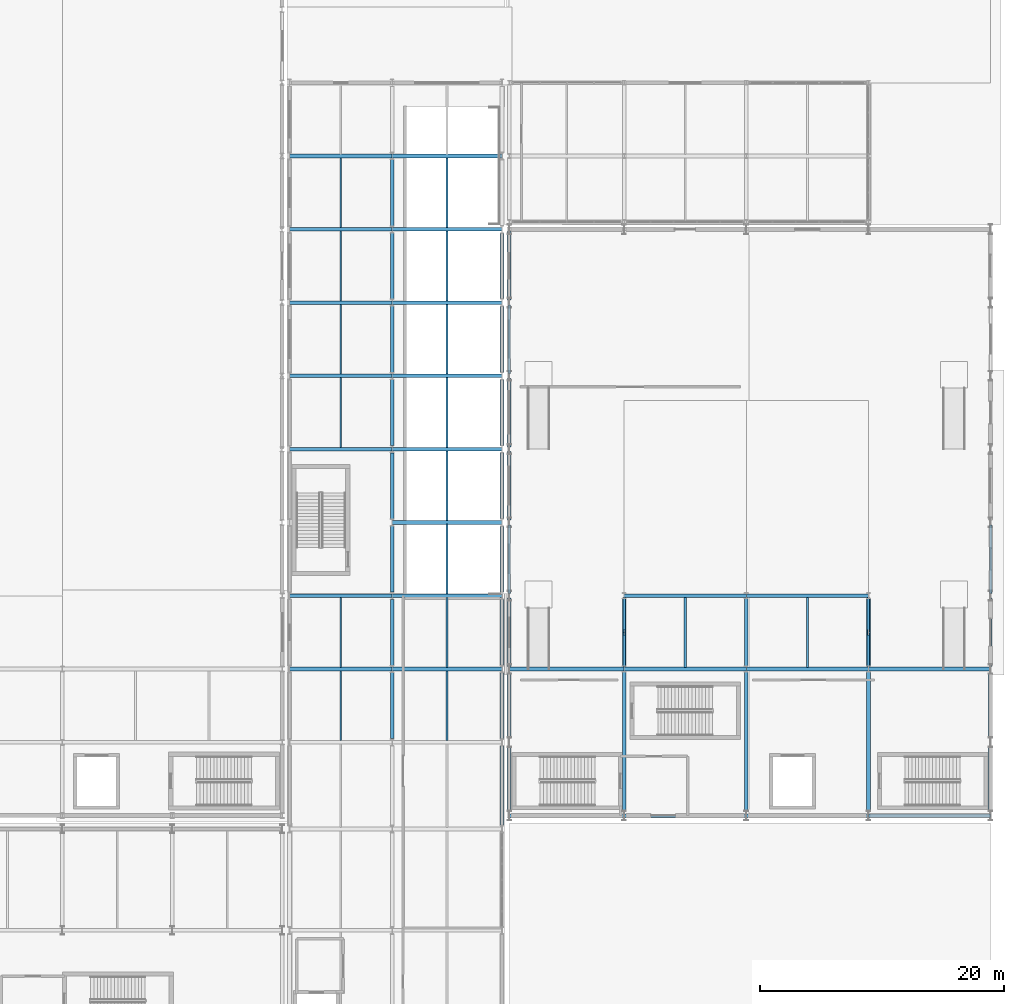
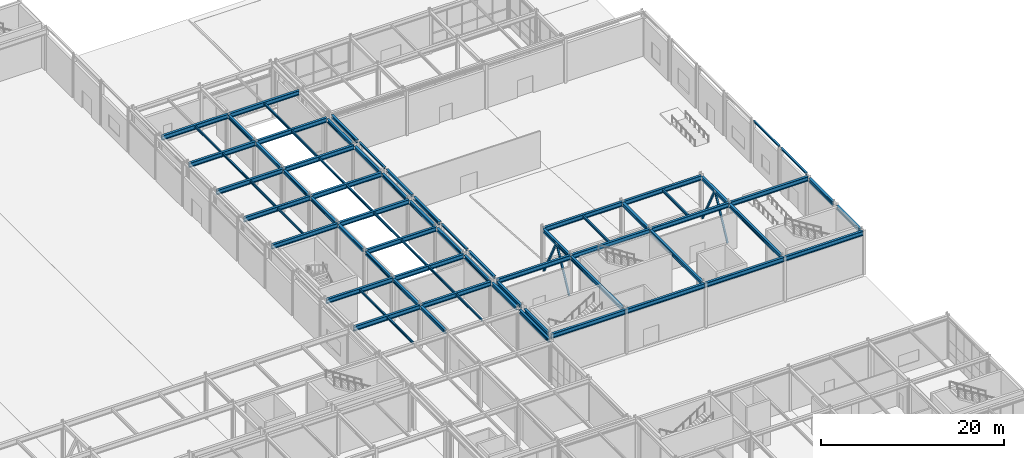
# One storey, part 90 of 146: 75 beams, 4 members.
"""IFC4 building model written with IfcOpenShell, lengths in metres."""

from ifc_helpers import new_model, si_unit, direction, frame, origin, origin_2d, place, context, subcontext, project, spatial, hollow_rectangle, i_section, extrude, material, material_profile, profile_set, type_object, element, save


model = new_model("IFC4")

# Units and contexts
model_context = context("Model", 3, precision=1e-05, world=origin(), true_north=direction((0.0, 1.0)))
body_context = subcontext(model_context, "Body", "Model", "MODEL_VIEW")
ifc_project = project(units=[si_unit("LENGTHUNIT", "METRE"), si_unit("AREAUNIT", "SQUARE_METRE"), si_unit("VOLUMEUNIT", "CUBIC_METRE"), si_unit("PLANEANGLEUNIT", "RADIAN"), si_unit("MASSUNIT", "GRAM", prefix="KILO")], contexts=[model_context])

# Site, building, storey
site_placement = place(None, origin())
site = spatial("IfcSite", under=ifc_project, at=site_placement, CompositionType="ELEMENT")
building_placement = place(site_placement, origin())
building = spatial("IfcBuilding", under=site, at=building_placement, Name="Kaldris Quays Convention Centre", CompositionType="ELEMENT")
storey_placement = place(building_placement, origin())
storey = spatial("IfcBuildingStorey", under=building, at=storey_placement, Name="L00", CompositionType="ELEMENT", Elevation=0.0)

# Beams
ifc_material_1 = material(Name="Steel S355J2", Category="steel")
ifc_material_profile_1 = material_profile(ifc_material_1, i_section(OverallWidth=0.300048828125, OverallDepth=0.60009765625, WebThickness=0.015380859375, FlangeThickness=0.030029296875, FilletRadius=0.027099609375, at=origin_2d()), Name="HEB 600")
ifc_profile_set_1 = profile_set([ifc_material_profile_1], Name="Steel S355J2")
beam_type_1 = type_object("IfcBeamType", Name="STRUCTURAL BEAM BM05", PredefinedType="BEAM", material=ifc_profile_set_1)
beam_1_placement = place(storey_placement, frame((164.602783203125, 56.0, 5.403076171875), z_axis=(1.0, 0.0, 0.0), x_axis=(0.0, 1.0, 0.0)))
element("IfcBeam", 1, at=beam_1_placement, inside=storey, type_object=beam_type_1, Name="L00 Girder BM05 1", PredefinedType="BEAM", context=body_context, shape_type="SweptSolid", body=[
    extrude(i_section(OverallWidth=0.300048828125, OverallDepth=0.60009765625, WebThickness=0.015380859375, FlangeThickness=0.030029296875, FilletRadius=0.027099609375, at=origin_2d()), origin(), (0.0, 0.0, 1.0), 9.39453125),
])
for number, where, z_axis, x_axis, name in (
    (2, (174.002685546875, 56.0, 5.403076171875), (1.0, 0.0, 0.0), (0.0, 1.0, 0.0), "L00 Girder BM05 2"),
    (3, (184.002685546875, 56.0, 5.403076171875), (1.0, 0.0, 0.0), (0.0, 1.0, 0.0), "L00 Girder BM05 3"),
    (4, (194.002685546875, 56.0, 5.403076171875), (1.0, 0.0, 0.0), (0.0, 1.0, 0.0), "L00 Girder BM05 4"),
):
    element("IfcBeam", number, at=place(storey_placement, frame(where, z_axis=z_axis, x_axis=x_axis)), inside=storey, type_object=beam_type_1, Name=name, PredefinedType="BEAM", context=body_context, shape_type="SweptSolid", body=[
        extrude(i_section(OverallWidth=0.300048828125, OverallDepth=0.60009765625, WebThickness=0.015380859375, FlangeThickness=0.030029296875, FilletRadius=0.027099609375, at=origin_2d()), origin(), (0.0, 0.0, 1.0), 9.99462890625),
    ])
beam_2_placement = place(storey_placement, frame((164.602783203125, 68.0, 5.403076171875), z_axis=(1.0, 0.0, 0.0), x_axis=(0.0, 1.0, 0.0)))
element("IfcBeam", 5, at=beam_2_placement, inside=storey, type_object=beam_type_1, Name="L00 Girder BM05 5", PredefinedType="BEAM", context=body_context, shape_type="SweptSolid", body=[
    extrude(i_section(OverallWidth=0.300048828125, OverallDepth=0.60009765625, WebThickness=0.015380859375, FlangeThickness=0.030029296875, FilletRadius=0.027099609375, at=origin_2d()), origin(), (0.0, 0.0, 1.0), 9.39599609375),
])
for number, where, z_axis, x_axis, name in (
    (6, (174.001220703125, 68.0, 5.403076171875), (1.0, 0.0, 0.0), (0.0, 1.0, 0.0), "L00 Girder BM05 6"),
    (7, (184.001220703125, 68.0, 5.403076171875), (1.0, 0.0, 0.0), (0.0, 1.0, 0.0), "L00 Girder BM05 7"),
):
    element("IfcBeam", number, at=place(storey_placement, frame(where, z_axis=z_axis, x_axis=x_axis)), inside=storey, type_object=beam_type_1, Name=name, PredefinedType="BEAM", context=body_context, shape_type="SweptSolid", body=[
        extrude(i_section(OverallWidth=0.300048828125, OverallDepth=0.60009765625, WebThickness=0.015380859375, FlangeThickness=0.030029296875, FilletRadius=0.027099609375, at=origin_2d()), origin(), (0.0, 0.0, 1.0), 9.99755859375),
    ])
beam_3_placement = place(storey_placement, frame((194.001220703125, 68.0, 5.403076171875), z_axis=(1.0, 0.0, 0.0), x_axis=(0.0, 1.0, 0.0)))
element("IfcBeam", 8, at=beam_3_placement, inside=storey, type_object=beam_type_1, Name="L00 Girder BM05 8", PredefinedType="BEAM", context=body_context, shape_type="SweptSolid", body=[
    extrude(i_section(OverallWidth=0.300048828125, OverallDepth=0.60009765625, WebThickness=0.015380859375, FlangeThickness=0.030029296875, FilletRadius=0.027099609375, at=origin_2d()), origin(), (0.0, 0.0, 1.0), 9.99609375),
])
for number, where, z_axis, x_axis, name in (
    (9, (174.001220703125, 74.0, 5.405029296875), (1.0, 0.0, 0.0), (0.0, 1.0, 0.0), "L00 Girder BM05 9"),
    (10, (184.001220703125, 74.0, 5.405029296875), (1.0, 0.0, 0.0), (0.0, 1.0, 0.0), "L00 Girder BM05 10"),
):
    element("IfcBeam", number, at=place(storey_placement, frame(where, z_axis=z_axis, x_axis=x_axis)), inside=storey, type_object=beam_type_1, Name=name, PredefinedType="BEAM", context=body_context, shape_type="SweptSolid", body=[
        extrude(i_section(OverallWidth=0.300048828125, OverallDepth=0.60009765625, WebThickness=0.015380859375, FlangeThickness=0.030029296875, FilletRadius=0.027099609375, at=origin_2d()), origin(), (0.0, 0.0, 1.0), 9.99755859375),
    ])
beam_4_placement = place(storey_placement, frame((146.601806640625, 68.0, 5.423095703125), z_axis=(1.0, 0.0, 0.0), x_axis=(0.0, 1.0, 0.0)))
element("IfcBeam", 11, at=beam_4_placement, inside=storey, type_object=beam_type_1, Name="L00 Girder BM05 30", PredefinedType="BEAM", context=body_context, shape_type="SweptSolid", body=[
    extrude(i_section(OverallWidth=0.300048828125, OverallDepth=0.60009765625, WebThickness=0.015380859375, FlangeThickness=0.030029296875, FilletRadius=0.027099609375, at=origin_2d()), origin(), (0.0, 0.0, 1.0), 8.396484375),
])
beam_5_placement = place(storey_placement, frame((155.001708984375, 68.0, 5.423095703125), z_axis=(1.0, 0.0, 0.0), x_axis=(0.0, 1.0, 0.0)))
element("IfcBeam", 12, at=beam_5_placement, inside=storey, type_object=beam_type_1, Name="L00 Girder BM05 31", PredefinedType="BEAM", context=body_context, shape_type="SweptSolid", body=[
    extrude(i_section(OverallWidth=0.300048828125, OverallDepth=0.60009765625, WebThickness=0.015380859375, FlangeThickness=0.030029296875, FilletRadius=0.027099609375, at=origin_2d()), origin(), (0.0, 0.0, 1.0), 8.99658203125),
])
beam_6_placement = place(storey_placement, frame((146.601806640625, 74.0, 5.423095703125), z_axis=(1.0, 0.0, 0.0), x_axis=(0.0, 1.0, 0.0)))
element("IfcBeam", 13, at=beam_6_placement, inside=storey, type_object=beam_type_1, Name="L00 Girder BM05 32", PredefinedType="BEAM", context=body_context, shape_type="SweptSolid", body=[
    extrude(i_section(OverallWidth=0.300048828125, OverallDepth=0.60009765625, WebThickness=0.015380859375, FlangeThickness=0.030029296875, FilletRadius=0.027099609375, at=origin_2d()), origin(), (0.0, 0.0, 1.0), 8.396484375),
])
for number, where, z_axis, x_axis, name in (
    (14, (155.001708984375, 74.0, 5.423095703125), (1.0, 0.0, 0.0), (0.0, 1.0, 0.0), "L00 Girder BM05 33"),
    (15, (155.001708984375, 80.0, 5.423095703125), (1.0, 0.0, 0.0), (0.0, 1.0, 0.0), "L00 Girder BM05 34"),
):
    element("IfcBeam", number, at=place(storey_placement, frame(where, z_axis=z_axis, x_axis=x_axis)), inside=storey, type_object=beam_type_1, Name=name, PredefinedType="BEAM", context=body_context, shape_type="SweptSolid", body=[
        extrude(i_section(OverallWidth=0.300048828125, OverallDepth=0.60009765625, WebThickness=0.015380859375, FlangeThickness=0.030029296875, FilletRadius=0.027099609375, at=origin_2d()), origin(), (0.0, 0.0, 1.0), 8.99658203125),
    ])
beam_7_placement = place(storey_placement, frame((146.601806640625, 86.0, 5.423095703125), z_axis=(1.0, 0.0, 0.0), x_axis=(0.0, 1.0, 0.0)))
element("IfcBeam", 16, at=beam_7_placement, inside=storey, type_object=beam_type_1, Name="L00 Girder BM05 35", PredefinedType="BEAM", context=body_context, shape_type="SweptSolid", body=[
    extrude(i_section(OverallWidth=0.300048828125, OverallDepth=0.60009765625, WebThickness=0.015380859375, FlangeThickness=0.030029296875, FilletRadius=0.027099609375, at=origin_2d()), origin(), (0.0, 0.0, 1.0), 8.396484375),
])
beam_8_placement = place(storey_placement, frame((155.001708984375, 86.0, 5.423095703125), z_axis=(1.0, 0.0, 0.0), x_axis=(0.0, 1.0, 0.0)))
element("IfcBeam", 17, at=beam_8_placement, inside=storey, type_object=beam_type_1, Name="L00 Girder BM05 36", PredefinedType="BEAM", context=body_context, shape_type="SweptSolid", body=[
    extrude(i_section(OverallWidth=0.300048828125, OverallDepth=0.60009765625, WebThickness=0.015380859375, FlangeThickness=0.030029296875, FilletRadius=0.027099609375, at=origin_2d()), origin(), (0.0, 0.0, 1.0), 8.99658203125),
])
beam_9_placement = place(storey_placement, frame((146.601806640625, 92.0, 5.423095703125), z_axis=(1.0, 0.0, 0.0), x_axis=(0.0, 1.0, 0.0)))
element("IfcBeam", 18, at=beam_9_placement, inside=storey, type_object=beam_type_1, Name="L00 Girder BM05 37", PredefinedType="BEAM", context=body_context, shape_type="SweptSolid", body=[
    extrude(i_section(OverallWidth=0.300048828125, OverallDepth=0.60009765625, WebThickness=0.015380859375, FlangeThickness=0.030029296875, FilletRadius=0.027099609375, at=origin_2d()), origin(), (0.0, 0.0, 1.0), 8.396484375),
])
beam_10_placement = place(storey_placement, frame((155.001708984375, 92.0, 5.423095703125), z_axis=(1.0, 0.0, 0.0), x_axis=(0.0, 1.0, 0.0)))
element("IfcBeam", 19, at=beam_10_placement, inside=storey, type_object=beam_type_1, Name="L00 Girder BM05 38", PredefinedType="BEAM", context=body_context, shape_type="SweptSolid", body=[
    extrude(i_section(OverallWidth=0.300048828125, OverallDepth=0.60009765625, WebThickness=0.015380859375, FlangeThickness=0.030029296875, FilletRadius=0.027099609375, at=origin_2d()), origin(), (0.0, 0.0, 1.0), 8.99658203125),
])
beam_11_placement = place(storey_placement, frame((146.601806640625, 98.0, 5.423095703125), z_axis=(1.0, 0.0, 0.0), x_axis=(0.0, 1.0, 0.0)))
element("IfcBeam", 20, at=beam_11_placement, inside=storey, type_object=beam_type_1, Name="L00 Girder BM05 39", PredefinedType="BEAM", context=body_context, shape_type="SweptSolid", body=[
    extrude(i_section(OverallWidth=0.300048828125, OverallDepth=0.60009765625, WebThickness=0.015380859375, FlangeThickness=0.030029296875, FilletRadius=0.027099609375, at=origin_2d()), origin(), (0.0, 0.0, 1.0), 8.396484375),
])
beam_12_placement = place(storey_placement, frame((155.001708984375, 98.0, 5.423095703125), z_axis=(1.0, 0.0, 0.0), x_axis=(0.0, 1.0, 0.0)))
element("IfcBeam", 21, at=beam_12_placement, inside=storey, type_object=beam_type_1, Name="L00 Girder BM05 40", PredefinedType="BEAM", context=body_context, shape_type="SweptSolid", body=[
    extrude(i_section(OverallWidth=0.300048828125, OverallDepth=0.60009765625, WebThickness=0.015380859375, FlangeThickness=0.030029296875, FilletRadius=0.027099609375, at=origin_2d()), origin(), (0.0, 0.0, 1.0), 8.99658203125),
])
beam_13_placement = place(storey_placement, frame((146.601806640625, 104.0, 5.423095703125), z_axis=(1.0, 0.0, 0.0), x_axis=(0.0, 1.0, 0.0)))
element("IfcBeam", 22, at=beam_13_placement, inside=storey, type_object=beam_type_1, Name="L00 Girder BM05 41", PredefinedType="BEAM", context=body_context, shape_type="SweptSolid", body=[
    extrude(i_section(OverallWidth=0.300048828125, OverallDepth=0.60009765625, WebThickness=0.015380859375, FlangeThickness=0.030029296875, FilletRadius=0.027099609375, at=origin_2d()), origin(), (0.0, 0.0, 1.0), 8.396484375),
])
beam_14_placement = place(storey_placement, frame((155.001708984375, 104.0, 5.423095703125), z_axis=(1.0, 0.0, 0.0), x_axis=(0.0, 1.0, 0.0)))
element("IfcBeam", 23, at=beam_14_placement, inside=storey, type_object=beam_type_1, Name="L00 Girder BM05 42", PredefinedType="BEAM", context=body_context, shape_type="SweptSolid", body=[
    extrude(i_section(OverallWidth=0.300048828125, OverallDepth=0.60009765625, WebThickness=0.015380859375, FlangeThickness=0.030029296875, FilletRadius=0.027099609375, at=origin_2d()), origin(), (0.0, 0.0, 1.0), 8.99658203125),
])
beam_15_placement = place(storey_placement, frame((146.601806640625, 110.0, 5.423095703125), z_axis=(1.0, 0.0, 0.0), x_axis=(0.0, 1.0, 0.0)))
element("IfcBeam", 24, at=beam_15_placement, inside=storey, type_object=beam_type_1, Name="L00 Girder BM05 46", PredefinedType="BEAM", context=body_context, shape_type="SweptSolid", body=[
    extrude(i_section(OverallWidth=0.300048828125, OverallDepth=0.60009765625, WebThickness=0.015380859375, FlangeThickness=0.030029296875, FilletRadius=0.027099609375, at=origin_2d()), origin(), (0.0, 0.0, 1.0), 8.396484375),
])
beam_16_placement = place(storey_placement, frame((155.001708984375, 110.0, 5.423095703125), z_axis=(1.0, 0.0, 0.0), x_axis=(0.0, 1.0, 0.0)))
element("IfcBeam", 25, at=beam_16_placement, inside=storey, type_object=beam_type_1, Name="L00 Girder BM05 47", PredefinedType="BEAM", context=body_context, shape_type="SweptSolid", body=[
    extrude(i_section(OverallWidth=0.300048828125, OverallDepth=0.60009765625, WebThickness=0.015380859375, FlangeThickness=0.030029296875, FilletRadius=0.027099609375, at=origin_2d()), origin(), (0.0, 0.0, 1.0), 8.99658203125),
])
ifc_material_profile_2 = material_profile(ifc_material_1, i_section(OverallWidth=0.300048828125, OverallDepth=0.5, WebThickness=0.014404296875, FlangeThickness=0.028076171875, FilletRadius=0.027099609375, at=origin_2d()), Name="HEB 500")
ifc_profile_set_2 = profile_set([ifc_material_profile_2], Name="Steel S355J2")
beam_type_2 = type_object("IfcBeamType", Name="STRUCTURAL BEAM BM06", PredefinedType="BEAM", material=ifc_profile_set_2)
for number, where, z_axis, x_axis, name in (
    (26, (164.60009765625, 56.39404296875, 5.452880859375), (0.0, 1.0, 0.0), (-1.0, 0.0, 0.0), "L00 Girder BM06 11"),
    (27, (164.60009765625, 62.39404296875, 5.452880859375), (0.0, 1.0, 0.0), (-1.0, 0.0, 0.0), "L00 Girder BM06 12"),
):
    element("IfcBeam", number, at=place(storey_placement, frame(where, z_axis=z_axis, x_axis=x_axis)), inside=storey, type_object=beam_type_2, Name=name, PredefinedType="BEAM", context=body_context, shape_type="SweptSolid", body=[
        extrude(i_section(OverallWidth=0.300048828125, OverallDepth=0.5, WebThickness=0.014404296875, FlangeThickness=0.028076171875, FilletRadius=0.027099609375, at=origin_2d()), origin(), (0.0, 0.0, 1.0), 5.2119140625),
    ])
beam_17_placement = place(storey_placement, frame((174.0, 56.39404296875, 5.452880859375), z_axis=(0.0, 1.0, 0.0), x_axis=(-1.0, 0.0, 0.0)))
element("IfcBeam", 28, at=beam_17_placement, inside=storey, type_object=beam_type_2, Name="L00 Girder BM06 13", PredefinedType="BEAM", context=body_context, shape_type="SweptSolid", body=[
    extrude(i_section(OverallWidth=0.300048828125, OverallDepth=0.5, WebThickness=0.014404296875, FlangeThickness=0.028076171875, FilletRadius=0.027099609375, at=origin_2d()), origin(), (0.0, 0.0, 1.0), 11.362060546875),
])
beam_18_placement = place(storey_placement, frame((174.0, 68.243896484375, 5.455078125), z_axis=(0.0, 1.0, 0.0), x_axis=(-1.0, 0.0, 0.0)))
element("IfcBeam", 29, at=beam_18_placement, inside=storey, type_object=beam_type_2, Name="L00 Girder BM06 14", PredefinedType="BEAM", context=body_context, shape_type="SweptSolid", body=[
    extrude(i_section(OverallWidth=0.300048828125, OverallDepth=0.5, WebThickness=0.014404296875, FlangeThickness=0.028076171875, FilletRadius=0.027099609375, at=origin_2d()), origin(), (0.0, 0.0, 1.0), 5.51220703125),
])
beam_19_placement = place(storey_placement, frame((184.0, 56.39404296875, 5.452880859375), z_axis=(0.0, 1.0, 0.0), x_axis=(-1.0, 0.0, 0.0)))
element("IfcBeam", 30, at=beam_19_placement, inside=storey, type_object=beam_type_2, Name="L00 Girder BM06 15", PredefinedType="BEAM", context=body_context, shape_type="SweptSolid", body=[
    extrude(i_section(OverallWidth=0.300048828125, OverallDepth=0.5, WebThickness=0.014404296875, FlangeThickness=0.028076171875, FilletRadius=0.027099609375, at=origin_2d()), origin(), (0.0, 0.0, 1.0), 11.362060546875),
])
beam_20_placement = place(storey_placement, frame((184.0, 68.243896484375, 5.455078125), z_axis=(0.0, 1.0, 0.0), x_axis=(-1.0, 0.0, 0.0)))
element("IfcBeam", 31, at=beam_20_placement, inside=storey, type_object=beam_type_2, Name="L00 Girder BM06 16", PredefinedType="BEAM", context=body_context, shape_type="SweptSolid", body=[
    extrude(i_section(OverallWidth=0.300048828125, OverallDepth=0.5, WebThickness=0.014404296875, FlangeThickness=0.028076171875, FilletRadius=0.027099609375, at=origin_2d()), origin(), (0.0, 0.0, 1.0), 5.51220703125),
])
beam_21_placement = place(storey_placement, frame((194.0, 56.39404296875, 5.452880859375), z_axis=(0.0, 1.0, 0.0), x_axis=(-1.0, 0.0, 0.0)))
element("IfcBeam", 32, at=beam_21_placement, inside=storey, type_object=beam_type_2, Name="L00 Girder BM06 17", PredefinedType="BEAM", context=body_context, shape_type="SweptSolid", body=[
    extrude(i_section(OverallWidth=0.300048828125, OverallDepth=0.5, WebThickness=0.014404296875, FlangeThickness=0.028076171875, FilletRadius=0.027099609375, at=origin_2d()), origin(), (0.0, 0.0, 1.0), 11.362060546875),
])
beam_22_placement = place(storey_placement, frame((194.0, 68.243896484375, 5.455078125), z_axis=(0.0, 1.0, 0.0), x_axis=(-1.0, 0.0, 0.0)))
element("IfcBeam", 33, at=beam_22_placement, inside=storey, type_object=beam_type_2, Name="L00 Girder BM06 18", PredefinedType="BEAM", context=body_context, shape_type="SweptSolid", body=[
    extrude(i_section(OverallWidth=0.300048828125, OverallDepth=0.5, WebThickness=0.014404296875, FlangeThickness=0.028076171875, FilletRadius=0.027099609375, at=origin_2d()), origin(), (0.0, 0.0, 1.0), 5.51220703125),
])
for number, where, z_axis, x_axis, name in (
    (34, (204.0, 56.39404296875, 5.452880859375), (0.0, 1.0, 0.0), (-1.0, 0.0, 0.0), "L00 Girder BM06 19"),
    (35, (204.0, 62.39404296875, 5.452880859375), (0.0, 1.0, 0.0), (-1.0, 0.0, 0.0), "L00 Girder BM06 20"),
):
    element("IfcBeam", number, at=place(storey_placement, frame(where, z_axis=z_axis, x_axis=x_axis)), inside=storey, type_object=beam_type_2, Name=name, PredefinedType="BEAM", context=body_context, shape_type="SweptSolid", body=[
        extrude(i_section(OverallWidth=0.300048828125, OverallDepth=0.5, WebThickness=0.014404296875, FlangeThickness=0.028076171875, FilletRadius=0.027099609375, at=origin_2d()), origin(), (0.0, 0.0, 1.0), 5.2119140625),
    ])
ifc_material_profile_3 = material_profile(ifc_material_1, i_section(OverallWidth=0.300048828125, OverallDepth=0.449951171875, WebThickness=0.013916015625, FlangeThickness=0.02587890625, FilletRadius=0.027099609375, at=origin_2d()), Name="HEB 450")
ifc_profile_set_3 = profile_set([ifc_material_profile_3], Name="Steel S355J2")
beam_type_3 = type_object("IfcBeamType", Name="STRUCTURAL BEAM BM07", PredefinedType="BEAM", material=ifc_profile_set_3)
for number, where, z_axis, x_axis, name in (
    (36, (155.0, 62.2939453125, 5.498046875), (0.0, 1.0, 0.0), (-1.0, 0.0, 0.0), "L00 Girder BM07 81"),
    (37, (155.0, 68.2939453125, 5.498046875), (0.0, 1.0, 0.0), (-1.0, 0.0, 0.0), "L00 Girder BM07 82"),
    (38, (155.0, 74.2939453125, 5.498046875), (0.0, 1.0, 0.0), (-1.0, 0.0, 0.0), "L00 Girder BM07 83"),
    (39, (155.0, 80.2939453125, 5.498046875), (0.0, 1.0, 0.0), (-1.0, 0.0, 0.0), "L00 Girder BM07 84"),
    (40, (155.0, 86.2939453125, 5.498046875), (0.0, 1.0, 0.0), (-1.0, 0.0, 0.0), "L00 Girder BM07 85"),
    (41, (155.0, 92.2939453125, 5.498046875), (0.0, 1.0, 0.0), (-1.0, 0.0, 0.0), "L00 Girder BM07 86"),
    (42, (155.0, 98.2939453125, 5.498046875), (0.0, 1.0, 0.0), (-1.0, 0.0, 0.0), "L00 Girder BM07 87"),
    (43, (155.0, 104.2939453125, 5.498046875), (0.0, 1.0, 0.0), (-1.0, 0.0, 0.0), "L00 Girder BM07 88"),
):
    element("IfcBeam", number, at=place(storey_placement, frame(where, z_axis=z_axis, x_axis=x_axis)), inside=storey, type_object=beam_type_3, Name=name, PredefinedType="BEAM", context=body_context, shape_type="SweptSolid", body=[
        extrude(i_section(OverallWidth=0.300048828125, OverallDepth=0.449951171875, WebThickness=0.013916015625, FlangeThickness=0.02587890625, FilletRadius=0.027099609375, at=origin_2d()), origin(), (0.0, 0.0, 1.0), 5.412109375),
    ])
beam_23_placement = place(storey_placement, frame((164.0, 55.194091796875, 5.498046875), z_axis=(0.0, 1.0, 0.0), x_axis=(-1.0, 0.0, 0.0)))
element("IfcBeam", 44, at=beam_23_placement, inside=storey, type_object=beam_type_3, Name="L00 Girder BM07 92", PredefinedType="BEAM", context=body_context, shape_type="SweptSolid", body=[
    extrude(i_section(OverallWidth=0.300048828125, OverallDepth=0.449951171875, WebThickness=0.013916015625, FlangeThickness=0.02587890625, FilletRadius=0.027099609375, at=origin_2d()), origin(), (0.0, 0.0, 1.0), 6.511962890625),
])
for number, where, z_axis, x_axis, name in (
    (45, (164.0, 62.2939453125, 5.498046875), (0.0, 1.0, 0.0), (-1.0, 0.0, 0.0), "L00 Girder BM07 93"),
    (46, (164.0, 68.2939453125, 5.498046875), (0.0, 1.0, 0.0), (-1.0, 0.0, 0.0), "L00 Girder BM07 94"),
    (47, (164.0, 74.2939453125, 5.498046875), (0.0, 1.0, 0.0), (-1.0, 0.0, 0.0), "L00 Girder BM07 95"),
    (48, (164.0, 80.2939453125, 5.498046875), (0.0, 1.0, 0.0), (-1.0, 0.0, 0.0), "L00 Girder BM07 96"),
    (49, (164.0, 86.2939453125, 5.498046875), (0.0, 1.0, 0.0), (-1.0, 0.0, 0.0), "L00 Girder BM07 97"),
    (50, (164.0, 92.2939453125, 5.498046875), (0.0, 1.0, 0.0), (-1.0, 0.0, 0.0), "L00 Girder BM07 98"),
    (51, (164.0, 98.2939453125, 5.498046875), (0.0, 1.0, 0.0), (-1.0, 0.0, 0.0), "L00 Girder BM07 99"),
):
    element("IfcBeam", number, at=place(storey_placement, frame(where, z_axis=z_axis, x_axis=x_axis)), inside=storey, type_object=beam_type_3, Name=name, PredefinedType="BEAM", context=body_context, shape_type="SweptSolid", body=[
        extrude(i_section(OverallWidth=0.300048828125, OverallDepth=0.449951171875, WebThickness=0.013916015625, FlangeThickness=0.02587890625, FilletRadius=0.027099609375, at=origin_2d()), origin(), (0.0, 0.0, 1.0), 5.412109375),
    ])
ifc_material_profile_4 = material_profile(ifc_material_1, i_section(OverallWidth=0.169921875, OverallDepth=0.360107421875, WebThickness=0.008056640625, FlangeThickness=0.0126953125, FilletRadius=0.01806640625, at=origin_2d()), Name="IPE 360")
ifc_profile_set_4 = profile_set([ifc_material_profile_4], Name="Steel S355J2")
beam_type_4 = type_object("IfcBeamType", Name="STRUCTURAL BEAM JT03", PredefinedType="JOIST", material=ifc_profile_set_4)
for number, where, z_axis, x_axis, name in (
    (52, (179.0, 68.14404296875, 5.52294921875), (0.0, 1.0, 0.0), (-1.0, 0.0, 0.0), "L00 Secondary Joist JT03 1"),
    (53, (189.0, 68.14404296875, 5.52294921875), (0.0, 1.0, 0.0), (-1.0, 0.0, 0.0), "L00 Secondary Joist JT03 2"),
):
    element("IfcBeam", number, at=place(storey_placement, frame(where, z_axis=z_axis, x_axis=x_axis)), inside=storey, type_object=beam_type_4, Name=name, PredefinedType="JOIST", context=body_context, shape_type="SweptSolid", body=[
        extrude(i_section(OverallWidth=0.169921875, OverallDepth=0.360107421875, WebThickness=0.008056640625, FlangeThickness=0.0126953125, FilletRadius=0.01806640625, at=origin_2d()), origin(), (0.0, 0.0, 1.0), 5.7119140625),
    ])
ifc_material_profile_5 = material_profile(ifc_material_1, i_section(OverallWidth=0.14990234375, OverallDepth=0.300048828125, WebThickness=0.007080078125, FlangeThickness=0.0107421875, FilletRadius=0.014892578125, at=origin_2d()), Name="IPE 300")
ifc_profile_set_5 = profile_set([ifc_material_profile_5], Name="Steel S355J2")
beam_type_5 = type_object("IfcBeamType", Name="STRUCTURAL BEAM JT04", PredefinedType="JOIST", material=ifc_profile_set_5)
for number, where, z_axis, x_axis, name in (
    (54, (150.800048828125, 62.14404296875, 5.572998046875), (0.0, 1.0, 0.0), (-1.0, 0.0, 0.0), "L00 Secondary Joist JT04 14"),
    (55, (159.5, 62.14404296875, 5.572998046875), (0.0, 1.0, 0.0), (-1.0, 0.0, 0.0), "L00 Secondary Joist JT04 15"),
    (56, (150.800048828125, 68.14404296875, 5.572998046875), (0.0, 1.0, 0.0), (-1.0, 0.0, 0.0), "L00 Secondary Joist JT04 16"),
    (57, (159.5, 68.14404296875, 5.572998046875), (0.0, 1.0, 0.0), (-1.0, 0.0, 0.0), "L00 Secondary Joist JT04 17"),
    (58, (159.5, 74.14404296875, 5.572998046875), (0.0, 1.0, 0.0), (-1.0, 0.0, 0.0), "L00 Secondary Joist JT04 18"),
    (59, (159.5, 80.14404296875, 5.572998046875), (0.0, 1.0, 0.0), (-1.0, 0.0, 0.0), "L00 Secondary Joist JT04 19"),
    (60, (150.800048828125, 86.14404296875, 5.572998046875), (0.0, 1.0, 0.0), (-1.0, 0.0, 0.0), "L00 Secondary Joist JT04 20"),
    (61, (159.5, 86.14404296875, 5.572998046875), (0.0, 1.0, 0.0), (-1.0, 0.0, 0.0), "L00 Secondary Joist JT04 21"),
    (62, (150.800048828125, 92.14404296875, 5.572998046875), (0.0, 1.0, 0.0), (-1.0, 0.0, 0.0), "L00 Secondary Joist JT04 22"),
    (63, (159.5, 92.14404296875, 5.572998046875), (0.0, 1.0, 0.0), (-1.0, 0.0, 0.0), "L00 Secondary Joist JT04 23"),
    (64, (150.800048828125, 98.14404296875, 5.572998046875), (0.0, 1.0, 0.0), (-1.0, 0.0, 0.0), "L00 Secondary Joist JT04 24"),
    (65, (159.5, 98.14404296875, 5.572998046875), (0.0, 1.0, 0.0), (-1.0, 0.0, 0.0), "L00 Secondary Joist JT04 25"),
    (66, (150.800048828125, 104.14404296875, 5.572998046875), (0.0, 1.0, 0.0), (-1.0, 0.0, 0.0), "L00 Secondary Joist JT04 26"),
    (67, (159.5, 104.14404296875, 5.572998046875), (0.0, 1.0, 0.0), (-1.0, 0.0, 0.0), "L00 Secondary Joist JT04 27"),
):
    element("IfcBeam", number, at=place(storey_placement, frame(where, z_axis=z_axis, x_axis=x_axis)), inside=storey, type_object=beam_type_5, Name=name, PredefinedType="JOIST", context=body_context, shape_type="SweptSolid", body=[
        extrude(i_section(OverallWidth=0.14990234375, OverallDepth=0.300048828125, WebThickness=0.007080078125, FlangeThickness=0.0107421875, FilletRadius=0.014892578125, at=origin_2d()), origin(), (0.0, 0.0, 1.0), 5.7119140625),
    ])
ifc_material_profile_6 = material_profile(ifc_material_1, i_section(OverallWidth=0.300048828125, OverallDepth=0.389892578125, WebThickness=0.010986328125, FlangeThickness=0.01904296875, FilletRadius=0.027099609375, at=origin_2d()), Name="HEA 400")
ifc_profile_set_6 = profile_set([ifc_material_profile_6], Name="Steel S355J2")
beam_type_6 = type_object("IfcBeamType", Name="STRUCTURAL BEAM SP01", PredefinedType="SPANDREL", material=ifc_profile_set_6)
for number, where, z_axis, x_axis, name in (
    (68, (164.60009765625, 80.195068359375, 5.804931640625), (0.0, 1.0, 0.0), (-1.0, 0.0, 0.0), "L00 Perimeter Wall-Bearing Spandrel SP01 31"),
    (69, (164.60009765625, 98.195068359375, 5.804931640625), (0.0, 1.0, 0.0), (-1.0, 0.0, 0.0), "L00 Perimeter Wall-Bearing Spandrel SP01 37"),
):
    element("IfcBeam", number, at=place(storey_placement, frame(where, z_axis=z_axis, x_axis=x_axis)), inside=storey, type_object=beam_type_6, Name=name, PredefinedType="SPANDREL", context=body_context, shape_type="SweptSolid", body=[
        extrude(i_section(OverallWidth=0.300048828125, OverallDepth=0.389892578125, WebThickness=0.010986328125, FlangeThickness=0.01904296875, FilletRadius=0.027099609375, at=origin_2d()), origin(), (0.0, 0.0, 1.0), 5.60986328125),
    ])
ifc_material_profile_7 = material_profile(ifc_material_1, i_section(OverallWidth=0.280029296875, OverallDepth=0.27001953125, WebThickness=0.008056640625, FlangeThickness=0.012939453125, FilletRadius=0.02392578125, at=origin_2d()), Name="HEA 280")
ifc_profile_set_7 = profile_set([ifc_material_profile_7], Name="Steel S355J2")
beam_type_7 = type_object("IfcBeamType", Name="STRUCTURAL BEAM SP03", PredefinedType="SPANDREL", material=ifc_profile_set_7)
for number, where, z_axis, x_axis, name in (
    (70, (164.60009765625, 68.195068359375, 5.864990234375), (0.0, 1.0, 0.0), (-1.0, 0.0, 0.0), "L00 Perimeter Wall-Bearing Spandrel SP03 27"),
    (71, (164.60009765625, 86.195068359375, 5.864990234375), (0.0, 1.0, 0.0), (-1.0, 0.0, 0.0), "L00 Perimeter Wall-Bearing Spandrel SP03 33"),
):
    element("IfcBeam", number, at=place(storey_placement, frame(where, z_axis=z_axis, x_axis=x_axis)), inside=storey, type_object=beam_type_7, Name=name, PredefinedType="SPANDREL", context=body_context, shape_type="SweptSolid", body=[
        extrude(i_section(OverallWidth=0.280029296875, OverallDepth=0.27001953125, WebThickness=0.008056640625, FlangeThickness=0.012939453125, FilletRadius=0.02392578125, at=origin_2d()), origin(), (0.0, 0.0, 1.0), 5.60986328125),
    ])
ifc_material_profile_8 = material_profile(ifc_material_1, i_section(OverallWidth=0.239990234375, OverallDepth=0.22998046875, WebThickness=0.007568359375, FlangeThickness=0.011962890625, FilletRadius=0.02099609375, at=origin_2d()), Name="HEA 240")
ifc_profile_set_8 = profile_set([ifc_material_profile_8], Name="Steel S355J2")
beam_type_8 = type_object("IfcBeamType", Name="STRUCTURAL BEAM SP04", PredefinedType="SPANDREL", material=ifc_profile_set_8)
beam_24_placement = place(storey_placement, frame((204.0, 68.195068359375, 5.885009765625), z_axis=(0.0, 1.0, 0.0), x_axis=(-1.0, 0.0, 0.0)))
element("IfcBeam", 72, at=beam_24_placement, inside=storey, type_object=beam_type_8, Name="L00 Perimeter Wall-Bearing Spandrel SP04 28", PredefinedType="SPANDREL", context=body_context, shape_type="SweptSolid", body=[
    extrude(i_section(OverallWidth=0.239990234375, OverallDepth=0.22998046875, WebThickness=0.007568359375, FlangeThickness=0.011962890625, FilletRadius=0.02099609375, at=origin_2d()), origin(), (0.0, 0.0, 1.0), 5.60986328125),
])
ifc_material_profile_9 = material_profile(ifc_material_1, i_section(OverallWidth=0.219970703125, OverallDepth=0.219970703125, WebThickness=0.009521484375, FlangeThickness=0.01611328125, FilletRadius=0.01806640625, at=origin_2d()), Name="HEB 220")
ifc_profile_set_9 = profile_set([ifc_material_profile_9], Name="Steel S355J2")
beam_type_9 = type_object("IfcBeamType", Name="STRUCTURAL BEAM SP05", PredefinedType="SPANDREL", material=ifc_profile_set_9)
for number, where, z_axis, x_axis, name in (
    (73, (164.60009765625, 74.195068359375, 5.889892578125), (0.0, 1.0, 0.0), (-1.0, 0.0, 0.0), "L00 Perimeter Wall-Bearing Spandrel SP05 29"),
    (74, (164.60009765625, 92.195068359375, 5.889892578125), (0.0, 1.0, 0.0), (-1.0, 0.0, 0.0), "L00 Perimeter Wall-Bearing Spandrel SP05 35"),
):
    element("IfcBeam", number, at=place(storey_placement, frame(where, z_axis=z_axis, x_axis=x_axis)), inside=storey, type_object=beam_type_9, Name=name, PredefinedType="SPANDREL", context=body_context, shape_type="SweptSolid", body=[
        extrude(i_section(OverallWidth=0.219970703125, OverallDepth=0.219970703125, WebThickness=0.009521484375, FlangeThickness=0.01611328125, FilletRadius=0.01806640625, at=origin_2d()), origin(), (0.0, 0.0, 1.0), 5.60986328125),
    ])
ifc_material_profile_10 = material_profile(ifc_material_1, i_section(OverallWidth=0.199951171875, OverallDepth=0.199951171875, WebThickness=0.009033203125, FlangeThickness=0.014892578125, FilletRadius=0.01806640625, at=origin_2d()), Name="HEB 200")
ifc_profile_set_10 = profile_set([ifc_material_profile_10], Name="Steel S355J2")
beam_type_10 = type_object("IfcBeamType", Name="STRUCTURAL BEAM SP06", PredefinedType="SPANDREL", material=ifc_profile_set_10)
beam_25_placement = place(storey_placement, frame((204.0, 74.195068359375, 5.89990234375), z_axis=(0.0, 1.0, 0.0), x_axis=(-1.0, 0.0, 0.0)))
element("IfcBeam", 75, at=beam_25_placement, inside=storey, type_object=beam_type_10, Name="L00 Perimeter Wall-Bearing Spandrel SP06 30", PredefinedType="SPANDREL", context=body_context, shape_type="SweptSolid", body=[
    extrude(i_section(OverallWidth=0.199951171875, OverallDepth=0.199951171875, WebThickness=0.009033203125, FlangeThickness=0.014892578125, FilletRadius=0.01806640625, at=origin_2d()), origin(), (0.0, 0.0, 1.0), 5.60986328125),
])

# Members
ifc_material_2 = material(Name="Steel S355J2H", Category="steel")
ifc_material_profile_11 = material_profile(ifc_material_2, hollow_rectangle(XDim=0.199951171875, YDim=0.199951171875, WallThickness=0.010009765625, at=origin_2d()), Name="SHS 200x200x10")
ifc_profile_set_11 = profile_set([ifc_material_profile_11], Name="Steel S355J2H")
member_type = type_object("IfcMemberType", Name="STRUCTURAL MEMBER CB02", PredefinedType="BRACE", material=ifc_profile_set_11)
for number, where, z_axis, x_axis, name in (
    (76, (174.0, 68.2451171875, 0.080078125), (0.0, 0.457011170446, 0.889460954785), (-1.0, 0.0, 0.0), "L00 V2 Concentric Brace CB02 5A"),
    (77, (174.0, 73.7548828125, 0.080078125), (0.0, -0.457011170446, 0.889460954785), (1.0, 0.0, 0.0), "L00 V2 Concentric Brace CB02 5B"),
    (78, (194.0, 68.2451171875, 0.080078125), (0.0, 0.457011170446, 0.889460954785), (-1.0, 0.0, 0.0), "L00 V2 Concentric Brace CB02 6A"),
    (79, (194.0, 73.7548828125, 0.080078125), (0.0, -0.457011170446, 0.889460954785), (1.0, 0.0, 0.0), "L00 V2 Concentric Brace CB02 6B"),
):
    element("IfcMember", number, at=place(storey_placement, frame(where, z_axis=z_axis, x_axis=x_axis)), inside=storey, type_object=member_type, Name=name, PredefinedType="BRACE", context=body_context, shape_type="SweptSolid", body=[
        extrude(hollow_rectangle(XDim=0.199951171875, YDim=0.199951171875, WallThickness=0.010009765625, at=origin_2d()), origin(), (0.0, 0.0, 1.0), 5.76513671875),
    ])

save(model, "model.ifc")
